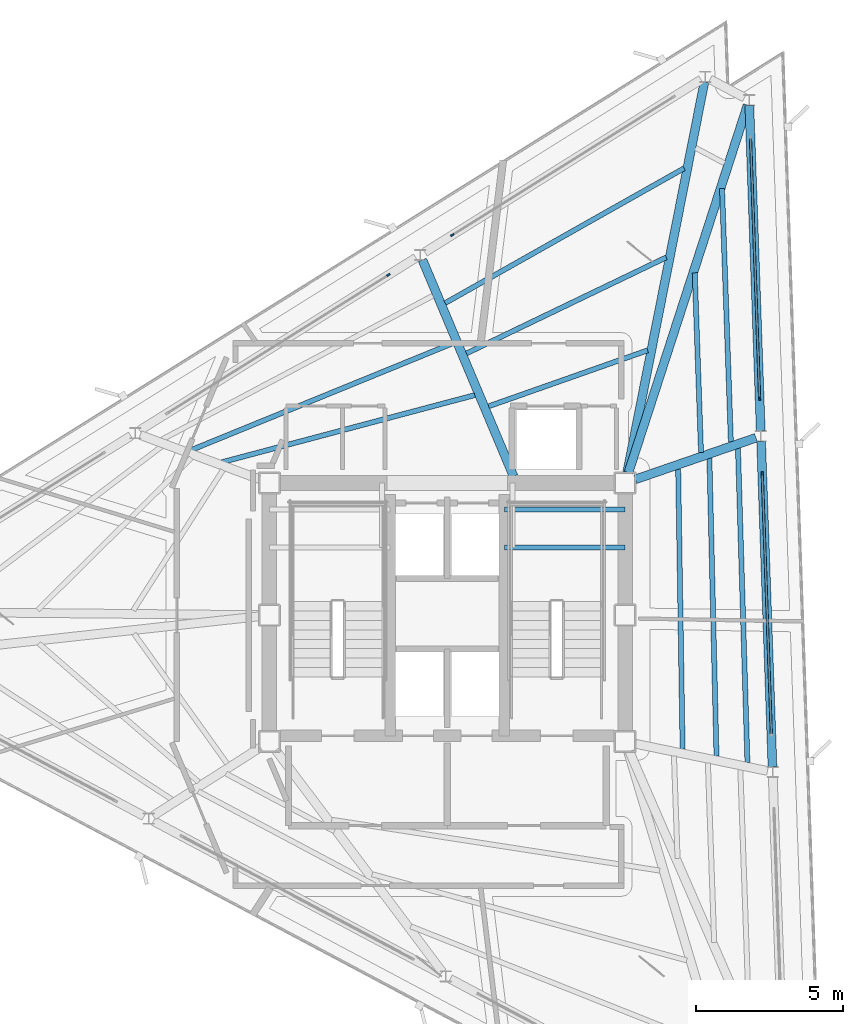
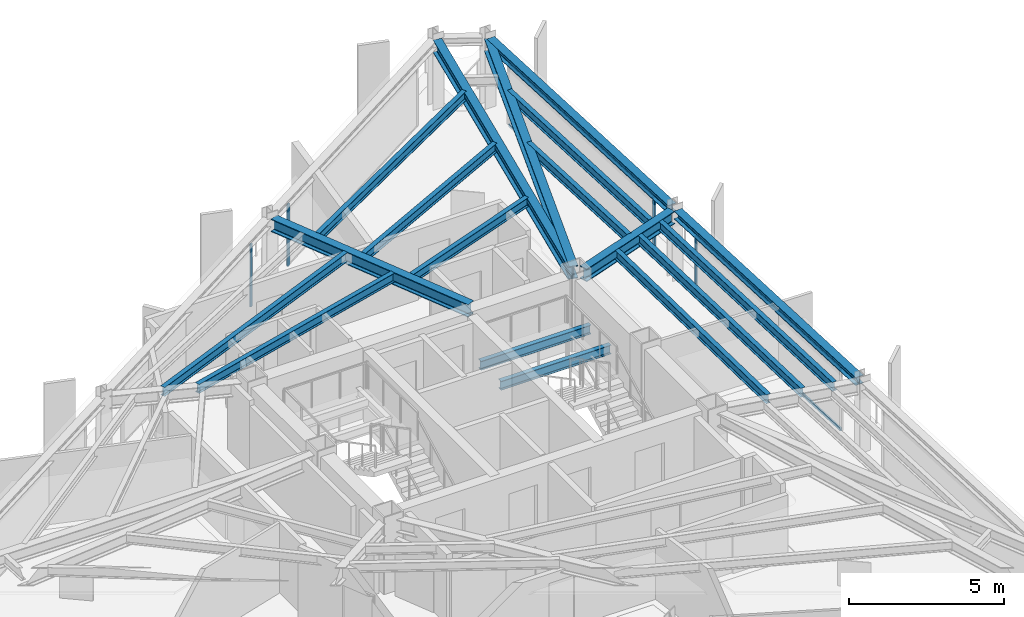
# One storey, part 5 of 13: 18 beams, 8 members, 4 elements without a shape of their own.
"""IFC4 building model written with IfcOpenShell, lengths in metres."""

from ifc_helpers import new_model, si_unit, direction, frame, origin, origin_2d, place, context, subcontext, project, spatial, rectangle, i_section, extrude, material, layer, layer_set, material_profile, profile_set, type_object, element, aggregate, save


model = new_model("IFC4")

# Units and contexts
model_context = context("Model", 3, precision=1e-05, world=origin(), true_north=direction((0.0, 1.0)))
body_context = subcontext(model_context, "Body", "Model", "MODEL_VIEW")
ifc_project = project(units=[si_unit("LENGTHUNIT", "METRE"), si_unit("AREAUNIT", "SQUARE_METRE"), si_unit("VOLUMEUNIT", "CUBIC_METRE"), si_unit("PLANEANGLEUNIT", "RADIAN"), si_unit("MASSUNIT", "GRAM", prefix="KILO")], contexts=[model_context])

# Site, building, storey
site_placement = place(None, origin())
site = spatial("IfcSite", under=ifc_project, at=site_placement, CompositionType="ELEMENT")
building_placement = place(site_placement, origin())
building = spatial("IfcBuilding", under=site, at=building_placement, Name="Rocaltana Carrier Exchange", CompositionType="ELEMENT")
storey_placement = place(building_placement, frame((0.0, 0.0, 208.800048828125)))
storey = spatial("IfcBuildingStorey", under=building, at=storey_placement, Name="L66", CompositionType="ELEMENT", Elevation=208.800048828125)

# Curtain wall, member
ifc_material_1 = material(Name="Aluminium 6063-T6", Category="aluminium")
ifc_layer = layer(ifc_material_1, 0.1201171875)
ifc_layer_set = layer_set([ifc_layer], Name="Aluminium 6063-T6")
curtain_wall_type = type_object("IfcCurtainWallType", Name="High-Altitude Thermal Curtain Wall CW-05", PredefinedType="NOTDEFINED", material=ifc_layer_set)
curtain_wall_1_placement = place(storey_placement, origin())
curtain_wall_1 = element("IfcCurtainWall", 1, at=curtain_wall_1_placement, inside=storey, type_object=curtain_wall_type, Name="L66 CW-05 Run CW-L66-F1S2", PredefinedType="NOTDEFINED")
ifc_material_2 = material(Name="Aluminium 6063-T6", Category="aluminium")
ifc_material_profile_1 = material_profile(ifc_material_2, rectangle(XDim=0.06005859375, YDim=0.1201171875, at=origin_2d()), Name="AL-60X120")
ifc_profile_set_1 = profile_set([ifc_material_profile_1], Name="Aluminium 6063-T6")
member_type_1 = type_object("IfcMemberType", Name="CW-05 Mullion AL-60X120", PredefinedType="MULLION", material=ifc_profile_set_1)
member_1_placement = place(storey_placement, frame((10.712890625, 4.8134765625, 0.0), z_axis=(0.0, 0.0, 1.0), x_axis=(-0.999390720156, -0.034902556738, 0.0)))
member_1 = element("IfcMember", 2, at=member_1_placement, type_object=member_type_1, Name="CW-05 mullion 2", PredefinedType="MULLION", context=body_context, shape_type="SweptSolid", body=[
    extrude(rectangle(XDim=0.06005859375, YDim=0.1201171875, at=origin_2d()), origin(), (0.0, 0.0, 1.0), 2.447998046875),
])

curtain_wall_2_placement = place(storey_placement, origin())
curtain_wall_2 = element("IfcCurtainWall", 3, at=curtain_wall_2_placement, inside=storey, type_object=curtain_wall_type, Name="L66 CW-05 Run CW-L66-F1S3", PredefinedType="NOTDEFINED")
member_2_placement = place(storey_placement, frame((10.62353515625, 7.371826171875, 0.0), z_axis=(0.0, 0.0, 1.0), x_axis=(-0.999390720156, -0.034902556738, 0.0)))
member_2 = element("IfcMember", 4, at=member_2_placement, type_object=member_type_1, Name="CW-05 mullion 1", PredefinedType="MULLION", context=body_context, shape_type="SweptSolid", body=[
    extrude(rectangle(XDim=0.06005859375, YDim=0.1201171875, at=origin_2d()), origin(), (0.0, 0.0, 1.0), 2.447998046875),
])

curtain_wall_3_placement = place(storey_placement, origin())
curtain_wall_3 = element("IfcCurtainWall", 5, at=curtain_wall_3_placement, inside=storey, type_object=curtain_wall_type, Name="L66 CW-05 Run CW-L66-F2S1", PredefinedType="NOTDEFINED")
member_3_placement = place(storey_placement, frame((0.171142578125, 12.9296875, 0.0), z_axis=(0.0, 0.0, 1.0), x_axis=(0.529928503412, -0.848042322807, 0.0)))
member_3 = element("IfcMember", 6, at=member_3_placement, type_object=member_type_1, Name="CW-05 mullion 2", PredefinedType="MULLION", context=body_context, shape_type="SweptSolid", body=[
    extrude(rectangle(XDim=0.06005859375, YDim=0.1201171875, at=origin_2d()), origin(), (0.0, 0.0, 1.0), 2.447998046875),
])
aggregate(curtain_wall_3, [member_3])

curtain_wall_4_placement = place(storey_placement, origin())
curtain_wall_4 = element("IfcCurtainWall", 7, at=curtain_wall_4_placement, inside=storey, type_object=curtain_wall_type, Name="L66 CW-05 Run CW-L66-F2S2", PredefinedType="NOTDEFINED")
member_4_placement = place(storey_placement, frame((-2.0, 11.572998046875, 0.0), z_axis=(0.0, 0.0, 1.0), x_axis=(0.529920452816, -0.848047353446, 0.0)))
member_4 = element("IfcMember", 8, at=member_4_placement, type_object=member_type_1, Name="CW-05 mullion 1", PredefinedType="MULLION", context=body_context, shape_type="SweptSolid", body=[
    extrude(rectangle(XDim=0.06005859375, YDim=0.1201171875, at=origin_2d()), origin(), (0.0, 0.0, 1.0), 2.447998046875),
])
aggregate(curtain_wall_4, [member_4])

# Member
ifc_material_3 = material(Name="Aluminium 6063-T6", Category="aluminium")
ifc_material_profile_2 = material_profile(ifc_material_3, rectangle(XDim=0.06005859375, YDim=0.1201171875, at=origin_2d()), Name="AL-60X120")
ifc_profile_set_2 = profile_set([ifc_material_profile_2], Name="Aluminium 6063-T6")
member_type_2 = type_object("IfcMemberType", Name="CW-05 Transom AL-60X120", PredefinedType="USERDEFINED", material=ifc_profile_set_2)
member_5_placement = place(storey_placement, frame((11.021484375, -4.024658203125, 0.030029296875), z_axis=(-0.034903051323, 0.999390702883, 0.0), x_axis=(-0.999390702883, -0.034903051323, 0.0)))
member_5 = element("IfcMember", 9, at=member_5_placement, type_object=member_type_2, Name="CW-05 transom 1.1", ObjectType="TRANSOM", PredefinedType="USERDEFINED", context=body_context, shape_type="SweptSolid", body=[
    extrude(rectangle(XDim=0.06005859375, YDim=0.1201171875, at=origin_2d()), origin(), (0.0, 0.0, 1.0), 8.8134765625),
])

member_6_placement = place(storey_placement, frame((11.021484375, -4.024658203125, 2.41796875), z_axis=(-0.034903051323, 0.999390702883, 0.0), x_axis=(-0.999390702883, -0.034903051323, 0.0)))
member_6 = element("IfcMember", 10, at=member_6_placement, type_object=member_type_2, Name="CW-05 transom 1.2", ObjectType="TRANSOM", PredefinedType="USERDEFINED", context=body_context, shape_type="SweptSolid", body=[
    extrude(rectangle(XDim=0.06005859375, YDim=0.1201171875, at=origin_2d()), origin(), (0.0, 0.0, 1.0), 8.8134765625),
])

aggregate(curtain_wall_1, [member_1, member_5, member_6])

member_7_placement = place(storey_placement, frame((10.62255859375, 7.40185546875, 0.030029296875), z_axis=(-0.034903051323, 0.999390702883, 0.0), x_axis=(-0.999390702883, -0.034903051323, 0.0)))
member_7 = element("IfcMember", 11, at=member_7_placement, type_object=member_type_2, Name="CW-05 transom 1.1", ObjectType="TRANSOM", PredefinedType="USERDEFINED", context=body_context, shape_type="SweptSolid", body=[
    extrude(rectangle(XDim=0.06005859375, YDim=0.1201171875, at=origin_2d()), origin(), (0.0, 0.0, 1.0), 8.8134765625),
])

member_8_placement = place(storey_placement, frame((10.62255859375, 7.40185546875, 2.41796875), z_axis=(-0.034903051323, 0.999390702883, 0.0), x_axis=(-0.999390702883, -0.034903051323, 0.0)))
member_8 = element("IfcMember", 12, at=member_8_placement, type_object=member_type_2, Name="CW-05 transom 1.2", ObjectType="TRANSOM", PredefinedType="USERDEFINED", context=body_context, shape_type="SweptSolid", body=[
    extrude(rectangle(XDim=0.06005859375, YDim=0.1201171875, at=origin_2d()), origin(), (0.0, 0.0, 1.0), 8.8134765625),
])

aggregate(curtain_wall_2, [member_2, member_7, member_8])

# Beams
ifc_material_4 = material(Name="Steel S355", Category="steel")
ifc_material_profile_3 = material_profile(ifc_material_4, i_section(OverallWidth=0.172119140625, OverallDepth=0.35791015625, WebThickness=0.0078125, FlangeThickness=0.01318359375, FilletRadius=0.011962890625, at=origin_2d()), Name="W14X38")
ifc_profile_set_3 = profile_set([ifc_material_profile_3], Name="Steel S355")
beam_type_1 = type_object("IfcBeamType", Name="Floor Joist W14X38", PredefinedType="JOIST", material=ifc_profile_set_3)
for number, where, z_axis, x_axis, name in (
    (13, (1.93994140625, 2.300048828125, 1.140869140625), (1.0, 0.0, 0.0), (0.0, 1.0, 0.0), "L66 ST-2 Landing Carrier 1"),
    (14, (1.93994140625, 3.60009765625, 1.140869140625), (1.0, 0.0, 0.0), (0.0, 1.0, 0.0), "L66 ST-2 Landing Carrier 2"),
):
    element("IfcBeam", number, at=place(storey_placement, frame(where, z_axis=z_axis, x_axis=x_axis)), inside=storey, type_object=beam_type_1, Name=name, PredefinedType="JOIST", context=body_context, shape_type="SweptSolid", body=[
        extrude(i_section(OverallWidth=0.172119140625, OverallDepth=0.35791015625, WebThickness=0.0078125, FlangeThickness=0.01318359375, FilletRadius=0.011962890625, at=origin_2d()), origin(), (0.0, 0.0, 1.0), 4.110107421875),
    ])
beam_1_placement = place(storey_placement, frame((8.00439453125, -4.55908203125, 2.618896484375), z_axis=(-0.015819427731, 0.999874865024, 0.0), x_axis=(-0.999874865024, -0.015819427731, 0.0)))
element("IfcBeam", 15, at=beam_1_placement, inside=storey, type_object=beam_type_1, Name="FJ-L66-02-1", PredefinedType="JOIST", context=body_context, shape_type="SweptSolid", body=[
    extrude(i_section(OverallWidth=0.172119140625, OverallDepth=0.35791015625, WebThickness=0.0078125, FlangeThickness=0.01318359375, FilletRadius=0.011962890625, at=origin_2d()), origin(), (0.0, 0.0, 1.0), 9.53759765625),
])
beam_2_placement = place(storey_placement, frame((9.1572265625, -4.796875, 2.618896484375), z_axis=(-0.023708273398, 0.999718919383, 0.0), x_axis=(-0.999718919383, -0.023708273398, 0.0)))
element("IfcBeam", 16, at=beam_2_placement, inside=storey, type_object=beam_type_1, Name="FJ-L66-02-2", PredefinedType="JOIST", context=body_context, shape_type="SweptSolid", body=[
    extrude(i_section(OverallWidth=0.172119140625, OverallDepth=0.35791015625, WebThickness=0.0078125, FlangeThickness=0.01318359375, FilletRadius=0.011962890625, at=origin_2d()), origin(), (0.0, 0.0, 1.0), 10.143310546875),
])
beam_3_placement = place(storey_placement, frame((10.2099609375, -5.013916015625, 2.618896484375), z_axis=(-0.030150236213, 0.999545378288, 0.0), x_axis=(-0.999545378288, -0.030150236213, 0.0)))
element("IfcBeam", 17, at=beam_3_placement, inside=storey, type_object=beam_type_1, Name="FJ-L66-02-3", PredefinedType="JOIST", context=body_context, shape_type="SweptSolid", body=[
    extrude(i_section(OverallWidth=0.172119140625, OverallDepth=0.35791015625, WebThickness=0.0078125, FlangeThickness=0.01318359375, FilletRadius=0.011962890625, at=origin_2d()), origin(), (0.0, 0.0, 1.0), 10.69677734375),
])
beam_4_placement = place(storey_placement, frame((8.631103515625, 5.535888671875, 2.618896484375), z_axis=(-0.034896830371, 0.999390920126, 0.0), x_axis=(-0.999390920126, -0.034896830371, 0.0)))
element("IfcBeam", 18, at=beam_4_placement, inside=storey, type_object=beam_type_1, Name="FJ-L66-03-2", PredefinedType="JOIST", context=body_context, shape_type="SweptSolid", body=[
    extrude(i_section(OverallWidth=0.172119140625, OverallDepth=0.35791015625, WebThickness=0.0078125, FlangeThickness=0.01318359375, FilletRadius=0.011962890625, at=origin_2d()), origin(), (0.0, 0.0, 1.0), 6.114501953125),
])
beam_5_placement = place(storey_placement, frame((9.647216796875, 5.88623046875, 2.618896484375), z_axis=(-0.034909498386, 0.999390477703, 0.0), x_axis=(-0.999390477703, -0.034909498386, 0.0)))
element("IfcBeam", 19, at=beam_5_placement, inside=storey, type_object=beam_type_1, Name="FJ-L66-03-3", PredefinedType="JOIST", context=body_context, shape_type="SweptSolid", body=[
    extrude(i_section(OverallWidth=0.172119140625, OverallDepth=0.35791015625, WebThickness=0.0078125, FlangeThickness=0.01318359375, FilletRadius=0.011962890625, at=origin_2d()), origin(), (0.0, 0.0, 1.0), 8.630126953125),
])
beam_6_placement = place(storey_placement, frame((6.815673828125, 9.009521484375, 2.618896484375), z_axis=(-0.943243231167, -0.332102705285, 0.0), x_axis=(0.332102705285, -0.943243231167, 0.0)))
element("IfcBeam", 20, at=beam_6_placement, inside=storey, type_object=beam_type_1, Name="FJ-L66-05-1", PredefinedType="JOIST", context=body_context, shape_type="SweptSolid", body=[
    extrude(i_section(OverallWidth=0.172119140625, OverallDepth=0.35791015625, WebThickness=0.0078125, FlangeThickness=0.01318359375, FilletRadius=0.011962890625, at=origin_2d()), origin(), (0.0, 0.0, 1.0), 5.732666015625),
])
beam_7_placement = place(storey_placement, frame((7.449951171875, 12.17138671875, 2.618896484375), z_axis=(-0.90125874398, -0.433281290155, 0.0), x_axis=(0.433281290155, -0.90125874398, 0.0)))
element("IfcBeam", 21, at=beam_7_placement, inside=storey, type_object=beam_type_1, Name="FJ-L66-05-2", PredefinedType="JOIST", context=body_context, shape_type="SweptSolid", body=[
    extrude(i_section(OverallWidth=0.172119140625, OverallDepth=0.35791015625, WebThickness=0.0078125, FlangeThickness=0.01318359375, FilletRadius=0.011962890625, at=origin_2d()), origin(), (0.0, 0.0, 1.0), 7.543212890625),
])
beam_8_placement = place(storey_placement, frame((8.05517578125, 15.201171875, 2.618896484375), z_axis=(-0.870951476943, -0.491369031187, 0.0), x_axis=(0.491369031187, -0.870951476943, 0.0)))
element("IfcBeam", 22, at=beam_8_placement, inside=storey, type_object=beam_type_1, Name="FJ-L66-05-3", PredefinedType="JOIST", context=body_context, shape_type="SweptSolid", body=[
    extrude(i_section(OverallWidth=0.172119140625, OverallDepth=0.35791015625, WebThickness=0.0078125, FlangeThickness=0.01318359375, FilletRadius=0.011962890625, at=origin_2d()), origin(), (0.0, 0.0, 1.0), 9.330078125),
])
beam_9_placement = place(storey_placement, frame((0.937744140625, 7.486083984375, 2.618896484375), z_axis=(-0.966555608165, -0.256457123756, 0.0), x_axis=(0.256457123756, -0.966555608165, 0.0)))
element("IfcBeam", 23, at=beam_9_placement, inside=storey, type_object=beam_type_1, Name="FJ-L66-06-1", PredefinedType="JOIST", context=body_context, shape_type="SweptSolid", body=[
    extrude(i_section(OverallWidth=0.172119140625, OverallDepth=0.35791015625, WebThickness=0.0078125, FlangeThickness=0.01318359375, FilletRadius=0.011962890625, at=origin_2d()), origin(), (0.0, 0.0, 1.0), 8.92578125),
])
beam_10_placement = place(storey_placement, frame((0.192626953125, 9.25146484375, 2.618896484375), z_axis=(-0.925846018296, -0.37790097963, 0.0), x_axis=(0.37790097963, -0.925846018296, 0.0)))
element("IfcBeam", 24, at=beam_10_placement, inside=storey, type_object=beam_type_1, Name="FJ-L66-06-2", PredefinedType="JOIST", context=body_context, shape_type="SweptSolid", body=[
    extrude(i_section(OverallWidth=0.172119140625, OverallDepth=0.35791015625, WebThickness=0.0078125, FlangeThickness=0.01318359375, FilletRadius=0.011962890625, at=origin_2d()), origin(), (0.0, 0.0, 1.0), 9.652587890625),
])
ifc_material_5 = material(Name="Steel S355", Category="steel")
ifc_material_profile_4 = material_profile(ifc_material_5, i_section(OverallWidth=0.300048828125, OverallDepth=0.320068359375, WebThickness=0.011474609375, FlangeThickness=0.0205078125, FilletRadius=0.027099609375, at=origin_2d()), Name="HEB320")
ifc_profile_set_4 = profile_set([ifc_material_profile_4], Name="Steel S355")
beam_type_2 = type_object("IfcBeamType", Name="Spandrel Edge Beam HEB320", PredefinedType="SPANDREL", material=ifc_profile_set_4)
beam_11_placement = place(storey_placement, frame((11.060791015625, -5.154296875, 2.637939453125), z_axis=(-0.03487608544, 0.999391644284, 0.0), x_axis=(-0.999391644284, -0.03487608544, 0.0)))
element("IfcBeam", 25, at=beam_11_placement, inside=storey, type_object=beam_type_2, Name="SP-L66-02", PredefinedType="SPANDREL", context=body_context, shape_type="SweptSolid", body=[
    extrude(i_section(OverallWidth=0.300048828125, OverallDepth=0.320068359375, WebThickness=0.011474609375, FlangeThickness=0.0205078125, FilletRadius=0.027099609375, at=origin_2d()), origin(), (0.0, 0.0, 1.0), 11.074462890625),
])
beam_12_placement = place(storey_placement, frame((10.661865234375, 6.272216796875, 2.637939453125), z_axis=(-0.034898873062, 0.999390848797, 0.0), x_axis=(-0.999390848797, -0.034898873062, 0.0)))
element("IfcBeam", 26, at=beam_12_placement, inside=storey, type_object=beam_type_2, Name="SP-L66-03", PredefinedType="SPANDREL", context=body_context, shape_type="SweptSolid", body=[
    extrude(i_section(OverallWidth=0.300048828125, OverallDepth=0.320068359375, WebThickness=0.011474609375, FlangeThickness=0.0205078125, FilletRadius=0.027099609375, at=origin_2d()), origin(), (0.0, 0.0, 1.0), 11.07421875),
])
ifc_material_6 = material(Name="Steel S355", Category="steel")
ifc_material_profile_5 = material_profile(ifc_material_6, i_section(OverallWidth=0.300048828125, OverallDepth=0.5, WebThickness=0.014404296875, FlangeThickness=0.028076171875, FilletRadius=0.027099609375, at=origin_2d()), Name="HEB500")
ifc_profile_set_5 = profile_set([ifc_material_profile_5], Name="Steel S355")
beam_type_3 = type_object("IfcBeamType", Name="Upper Radial Girder HEB500", PredefinedType="BEAM", material=ifc_profile_set_5)
beam_13_placement = place(storey_placement, frame((6.39697265625, 4.61962890625, 2.5478515625), z_axis=(0.945357432696, 0.326035771729, 0.0), x_axis=(-0.326035771729, 0.945357432696, 0.0)))
element("IfcBeam", 27, at=beam_13_placement, inside=storey, type_object=beam_type_3, Name="RG-L66-03", PredefinedType="BEAM", context=body_context, shape_type="SweptSolid", body=[
    extrude(i_section(OverallWidth=0.300048828125, OverallDepth=0.5, WebThickness=0.014404296875, FlangeThickness=0.028076171875, FilletRadius=0.027099609375, at=origin_2d()), origin(), (0.0, 0.0, 1.0), 4.338623046875),
])
beam_14_placement = place(storey_placement, frame((6.1630859375, 4.84912109375, 2.5478515625), z_axis=(0.308295669882, 0.951290586484, 0.0), x_axis=(-0.951290586484, 0.308295669882, 0.0)))
element("IfcBeam", 28, at=beam_14_placement, inside=storey, type_object=beam_type_3, Name="RG-L66-04", PredefinedType="BEAM", context=body_context, shape_type="SweptSolid", body=[
    extrude(i_section(OverallWidth=0.300048828125, OverallDepth=0.5, WebThickness=0.014404296875, FlangeThickness=0.028076171875, FilletRadius=0.027099609375, at=origin_2d()), origin(), (0.0, 0.0, 1.0), 13.13916015625),
])
beam_15_placement = place(storey_placement, frame((6.12109375, 4.860107421875, 2.5478515625), z_axis=(0.19403381503, 0.980994841284, 0.0), x_axis=(-0.980994841284, 0.19403381503, 0.0)))
element("IfcBeam", 29, at=beam_15_placement, inside=storey, type_object=beam_type_3, Name="RG-L66-05", PredefinedType="BEAM", context=body_context, shape_type="SweptSolid", body=[
    extrude(i_section(OverallWidth=0.300048828125, OverallDepth=0.5, WebThickness=0.014404296875, FlangeThickness=0.028076171875, FilletRadius=0.027099609375, at=origin_2d()), origin(), (0.0, 0.0, 1.0), 13.531005859375),
])
beam_16_placement = place(storey_placement, frame((2.256103515625, 4.722900390625, 2.5478515625), z_axis=(-0.388121207537, 0.921608337777, 0.0), x_axis=(-0.921608337777, -0.388121207537, 0.0)))
element("IfcBeam", 30, at=beam_16_placement, inside=storey, type_object=beam_type_3, Name="RG-L66-06", PredefinedType="BEAM", context=body_context, shape_type="SweptSolid", body=[
    extrude(i_section(OverallWidth=0.300048828125, OverallDepth=0.5, WebThickness=0.014404296875, FlangeThickness=0.028076171875, FilletRadius=0.027099609375, at=origin_2d()), origin(), (0.0, 0.0, 1.0), 7.9892578125),
])

save(model, "model.ifc")
